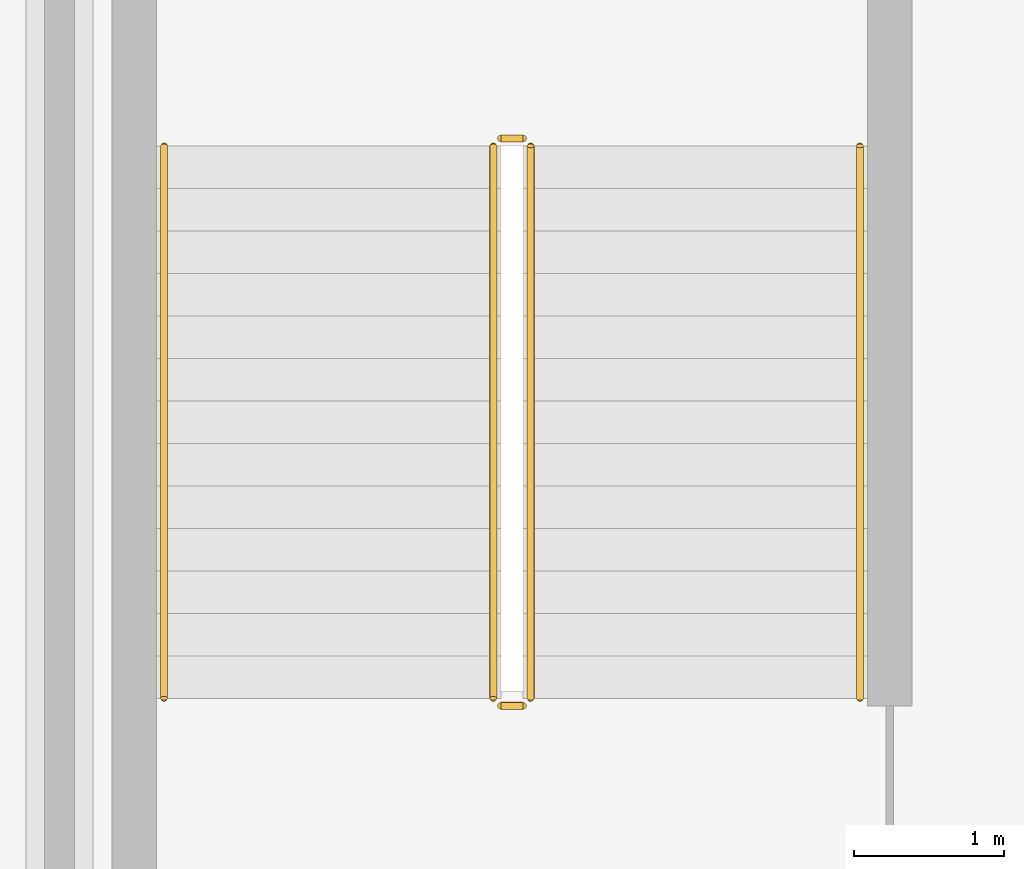
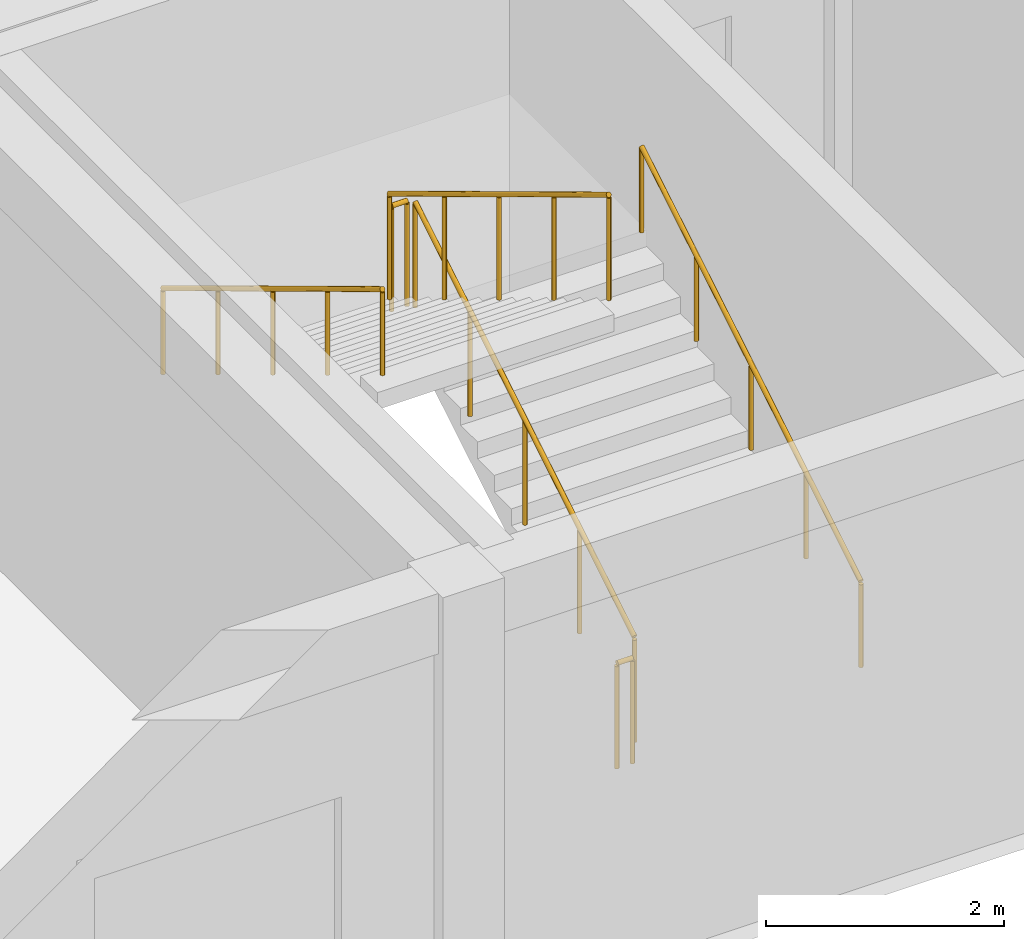
# One storey, part 26 of 27: 6 railings.
"""IFC4 building model written with IfcOpenShell, lengths in metres."""

from ifc_helpers import new_model, si_unit, direction, frame, origin, origin_2d, place, context, subcontext, project, spatial, circle, extrude, material, type_object, element, save


model = new_model("IFC4")

# Units and contexts
model_context = context("Model", 3, precision=1e-05, world=origin(), true_north=direction((0.0, 1.0)))
body_context = subcontext(model_context, "Body", "Model", "MODEL_VIEW")
ifc_project = project(units=[si_unit("LENGTHUNIT", "METRE"), si_unit("AREAUNIT", "SQUARE_METRE"), si_unit("VOLUMEUNIT", "CUBIC_METRE"), si_unit("PLANEANGLEUNIT", "RADIAN"), si_unit("MASSUNIT", "GRAM", prefix="KILO")], contexts=[model_context])

# Site, building, storey
site_placement = place(None, origin())
site = spatial("IfcSite", under=ifc_project, at=site_placement, CompositionType="ELEMENT")
building_placement = place(site_placement, origin())
building = spatial("IfcBuilding", under=site, at=building_placement, Name="Dhurran Vertical Campus", CompositionType="ELEMENT")
storey_placement = place(building_placement, frame((0.0, 0.0, 10.800048828125)))
storey = spatial("IfcBuildingStorey", under=building, at=storey_placement, Name="L02", CompositionType="ELEMENT", Elevation=10.800048828125)

# Railings
ifc_material_1 = material(Name="Steel S355J2H", Category="steel")
railing_type_1 = type_object("IfcRailingType", Name="hl-stair guard 1100", PredefinedType="GUARDRAIL", material=ifc_material_1)
railing_1_placement = place(storey_placement, frame((118.64990234375, -24.550048828125, 0.17138671875)))
element("IfcRailing", 1, at=railing_1_placement, inside=storey, type_object=railing_type_1, Name="L02 HST4 stair guard 1", PredefinedType="GUARDRAIL", context=body_context, shape_type="SweptSolid", body=[
    extrude(circle(Radius=0.02392578125, at=origin_2d()), frame((0.0, 0.0, 1.076171875), z_axis=(0.0, 0.85613627591, 0.516750110858), x_axis=(-1.0, 0.0, 0.0)), (0.0, 0.0, 1.0), 4.3125),
    extrude(circle(Radius=0.02099609375, at=origin_2d()), origin(), (0.0, 0.0, 1.0), 1.052001953125),
    extrude(circle(Radius=0.02099609375, at=origin_2d()), frame((0.0, 0.923095703125, 0.55712890625)), (0.0, 0.0, 1.0), 1.052001953125),
    extrude(circle(Radius=0.02099609375, at=origin_2d()), frame((0.0, 1.84619140625, 1.1142578125)), (0.0, 0.0, 1.0), 1.052001953125),
    extrude(circle(Radius=0.02099609375, at=origin_2d()), frame((0.0, 2.76904296875, 1.67138671875)), (0.0, 0.0, 1.0), 1.052001953125),
    extrude(circle(Radius=0.02099609375, at=origin_2d()), frame((0.0, 3.692138671875, 2.228515625)), (0.0, 0.0, 1.0), 1.052001953125),
])
railing_2_placement = place(storey_placement, frame((118.60009765625, -20.80810546875, 2.39990234375)))
element("IfcRailing", 2, at=railing_2_placement, inside=storey, type_object=railing_type_1, Name="L02 HST4 stair guard 2", PredefinedType="GUARDRAIL", context=body_context, shape_type="SweptSolid", body=[
    extrude(circle(Radius=0.02392578125, at=origin_2d()), frame((0.0, 0.0, 1.076171875), z_axis=(-1.0, 0.0, 0.0), x_axis=(0.0, -1.0, 0.0)), (0.0, 0.0, 1.0), 0.150146484375),
    extrude(circle(Radius=0.02099609375, at=origin_2d()), origin(), (0.0, 0.0, 1.0), 1.052001953125),
    extrude(circle(Radius=0.02099609375, at=origin_2d()), frame((-0.150146484375, 0.0, 0.0)), (0.0, 0.0, 1.0), 1.052001953125),
])
railing_3_placement = place(storey_placement, frame((118.39990234375, -20.85791015625, 2.5712890625)))
element("IfcRailing", 3, at=railing_3_placement, inside=storey, type_object=railing_type_1, Name="L02 HST4 stair guard 3", PredefinedType="GUARDRAIL", context=body_context, shape_type="SweptSolid", body=[
    extrude(circle(Radius=0.02392578125, at=origin_2d()), frame((0.0, 0.0, 1.076171875), z_axis=(0.0, -0.856111230211, 0.516791603557), x_axis=(1.0, 0.0, 0.0)), (0.0, 0.0, 1.0), 4.312744140625),
    extrude(circle(Radius=0.02099609375, at=origin_2d()), origin(), (0.0, 0.0, 1.0), 1.052001953125),
    extrude(circle(Radius=0.02099609375, at=origin_2d()), frame((0.0, -0.923095703125, 0.55712890625)), (0.0, 0.0, 1.0), 1.052001953125),
    extrude(circle(Radius=0.02099609375, at=origin_2d()), frame((0.0, -1.84619140625, 1.1142578125)), (0.0, 0.0, 1.0), 1.052001953125),
    extrude(circle(Radius=0.02099609375, at=origin_2d()), frame((0.0, -2.76904296875, 1.671630859375)), (0.0, 0.0, 1.0), 1.052001953125),
    extrude(circle(Radius=0.02099609375, at=origin_2d()), frame((0.0, -3.692138671875, 2.228759765625)), (0.0, 0.0, 1.0), 1.052001953125),
])
railing_4_placement = place(storey_placement, frame((118.60009765625, -24.60009765625, 0.0)))
element("IfcRailing", 4, at=railing_4_placement, inside=storey, type_object=railing_type_1, Name="L02 HST4 stair guard 4", PredefinedType="GUARDRAIL", context=body_context, shape_type="SweptSolid", body=[
    extrude(circle(Radius=0.02392578125, at=origin_2d()), frame((0.0, 0.0, 1.076171875), z_axis=(-1.0, 0.0, 0.0), x_axis=(0.0, -1.0, 0.0)), (0.0, 0.0, 1.0), 0.150146484375),
    extrude(circle(Radius=0.02099609375, at=origin_2d()), origin(), (0.0, 0.0, 1.0), 1.052001953125),
    extrude(circle(Radius=0.02099609375, at=origin_2d()), frame((-0.150146484375, 0.0, 0.0)), (0.0, 0.0, 1.0), 1.052001953125),
])
ifc_material_2 = material(Name="Steel S355J2H", Category="steel")
railing_type_2 = type_object("IfcRailingType", Name="hl-stair handrail", PredefinedType="HANDRAIL", material=ifc_material_2)
railing_5_placement = place(storey_placement, frame((120.85009765625, -24.550048828125, 0.17138671875)))
element("IfcRailing", 5, at=railing_5_placement, inside=storey, type_object=railing_type_2, Name="L02 HST4 stair handrail 1", PredefinedType="HANDRAIL", context=body_context, shape_type="SweptSolid", body=[
    extrude(circle(Radius=0.02392578125, at=origin_2d()), frame((0.0, 0.0, 0.8759765625), z_axis=(0.0, 0.85613627591, 0.516750110858), x_axis=(-1.0, 0.0, 0.0)), (0.0, 0.0, 1.0), 4.3125),
    extrude(circle(Radius=0.02099609375, at=origin_2d()), origin(), (0.0, 0.0, 1.0), 0.851806640625),
    extrude(circle(Radius=0.02099609375, at=origin_2d()), frame((0.0, 0.923095703125, 0.55712890625)), (0.0, 0.0, 1.0), 0.851806640625),
    extrude(circle(Radius=0.02099609375, at=origin_2d()), frame((0.0, 1.84619140625, 1.1142578125)), (0.0, 0.0, 1.0), 0.851806640625),
    extrude(circle(Radius=0.02099609375, at=origin_2d()), frame((0.0, 2.76904296875, 1.67138671875)), (0.0, 0.0, 1.0), 0.851806640625),
    extrude(circle(Radius=0.02099609375, at=origin_2d()), frame((0.0, 3.692138671875, 2.228515625)), (0.0, 0.0, 1.0), 0.851806640625),
])
railing_6_placement = place(storey_placement, frame((116.199951171875, -20.85791015625, 2.5712890625)))
element("IfcRailing", 6, at=railing_6_placement, inside=storey, type_object=railing_type_2, Name="L02 HST4 stair handrail 2", PredefinedType="HANDRAIL", context=body_context, shape_type="SweptSolid", body=[
    extrude(circle(Radius=0.02392578125, at=origin_2d()), frame((0.0, 0.0, 0.8759765625), z_axis=(0.0, -0.856111230211, 0.516791603557), x_axis=(1.0, 0.0, 0.0)), (0.0, 0.0, 1.0), 4.312744140625),
    extrude(circle(Radius=0.02099609375, at=origin_2d()), origin(), (0.0, 0.0, 1.0), 0.851806640625),
    extrude(circle(Radius=0.02099609375, at=origin_2d()), frame((0.0, -0.923095703125, 0.55712890625)), (0.0, 0.0, 1.0), 0.851806640625),
    extrude(circle(Radius=0.02099609375, at=origin_2d()), frame((0.0, -1.84619140625, 1.1142578125)), (0.0, 0.0, 1.0), 0.851806640625),
    extrude(circle(Radius=0.02099609375, at=origin_2d()), frame((0.0, -2.76904296875, 1.671630859375)), (0.0, 0.0, 1.0), 0.851806640625),
    extrude(circle(Radius=0.02099609375, at=origin_2d()), frame((0.0, -3.692138671875, 2.228759765625)), (0.0, 0.0, 1.0), 0.851806640625),
])

save(model, "model.ifc")
